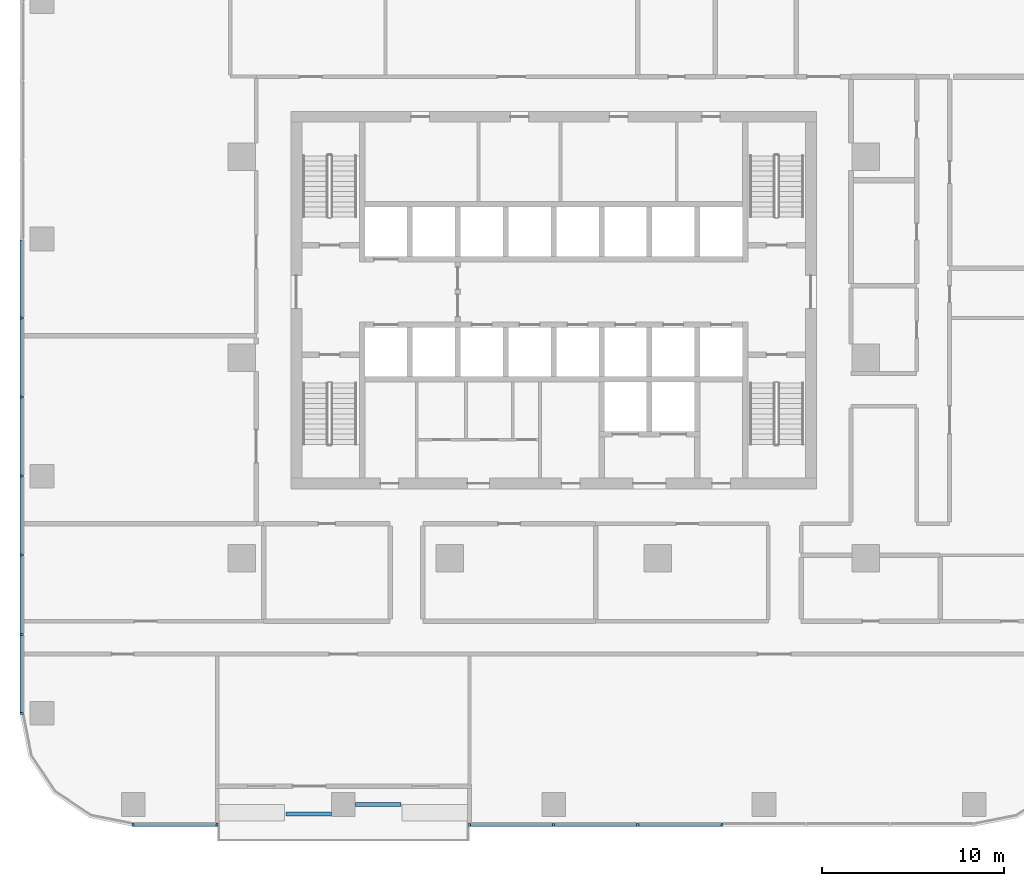
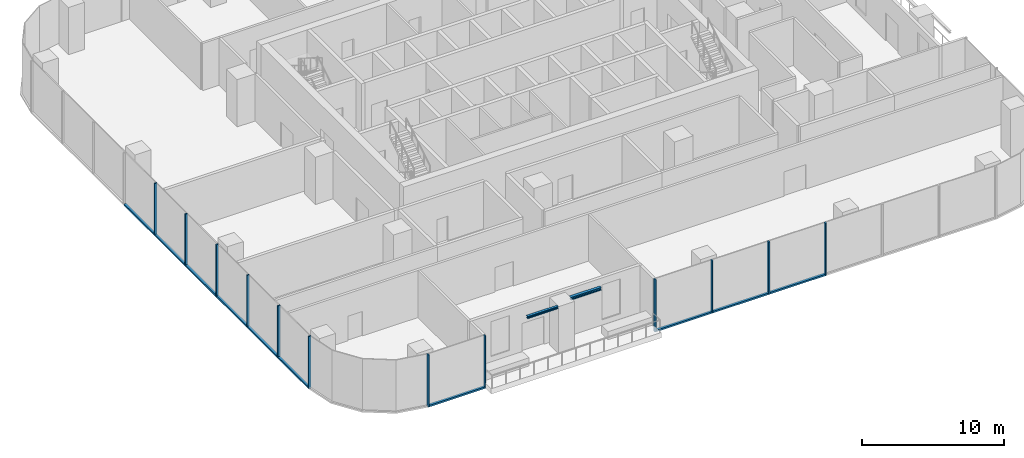
# One storey, part 2 of 14: 22 members, 2 beams, 3 elements without a shape of their own.
"""IFC4 building model written with IfcOpenShell, lengths in metres."""

from ifc_helpers import new_model, si_unit, direction, frame, origin, origin_2d, place, context, subcontext, project, spatial, rectangle, i_section, extrude, material, material_profile, profile_set, type_object, element, aggregate, save


model = new_model("IFC4")

# Units and contexts
model_context = context("Model", 3, precision=1e-05, world=origin(), true_north=direction((0.0, 1.0)))
body_context = subcontext(model_context, "Body", "Model", "MODEL_VIEW")
ifc_project = project(units=[si_unit("LENGTHUNIT", "METRE"), si_unit("AREAUNIT", "SQUARE_METRE"), si_unit("VOLUMEUNIT", "CUBIC_METRE"), si_unit("PLANEANGLEUNIT", "RADIAN"), si_unit("MASSUNIT", "GRAM", prefix="KILO")], contexts=[model_context])

# Site, building, storey
site_placement = place(None, origin())
site = spatial("IfcSite", under=ifc_project, at=site_placement, CompositionType="ELEMENT")
building_placement = place(site_placement, origin())
building = spatial("IfcBuilding", under=site, at=building_placement, Name="Mopane Tessera Tower", CompositionType="ELEMENT")
storey_placement = place(building_placement, frame((0.0, 0.0, 130.60009765625)))
storey = spatial("IfcBuildingStorey", under=building, at=storey_placement, Name="L26", CompositionType="ELEMENT", Elevation=130.60009765625)

# Curtain wall, members
ifc_material_1 = material(Name="Aluminium frame", Category="aluminium")
curtain_wall_type = type_object("IfcCurtainWallType", Name="Lower tower unitised wall", PredefinedType="NOTDEFINED", material=ifc_material_1)
curtain_wall_1_placement = place(storey_placement, origin())
curtain_wall_1 = element("IfcCurtainWall", 1, at=curtain_wall_1_placement, inside=storey, type_object=curtain_wall_type, Name="e:cw:L26:S:0", PredefinedType="NOTDEFINED")
ifc_material_2 = material(Name="Aluminium frame", Category="aluminium")
ifc_material_profile_1 = material_profile(ifc_material_2, rectangle(XDim=0.110107421875, YDim=0.199951171875, at=origin_2d()))
ifc_profile_set_1 = profile_set([ifc_material_profile_1], Name="Aluminium frame")
member_type_1 = type_object("IfcMemberType", Name="Aluminium mullion 110 x 200", PredefinedType="MULLION", material=ifc_profile_set_1)
member_1_placement = place(storey_placement, frame((-23.050048828125, -25.60009765625, -0.4501953125), z_axis=(0.0, 0.0, 1.0), x_axis=(1.0, 0.0, 0.0)))
member_1 = element("IfcMember", 2, at=member_1_placement, type_object=member_type_1, Name="e:cw:L26:S:0:mu0", PredefinedType="MULLION", context=body_context, shape_type="SweptSolid", body=[
    extrude(rectangle(XDim=0.110107421875, YDim=0.199951171875, at=origin_2d()), origin(), (0.0, 0.0, 1.0), 4.5),
])
member_2_placement = place(storey_placement, frame((-18.43994140625, -25.60009765625, -0.4501953125), z_axis=(0.0, 0.0, 1.0), x_axis=(1.0, 0.0, 0.0)))
member_2 = element("IfcMember", 3, at=member_2_placement, type_object=member_type_1, Name="e:cw:L26:S:0:mu1", PredefinedType="MULLION", context=body_context, shape_type="SweptSolid", body=[
    extrude(rectangle(XDim=0.110107421875, YDim=0.199951171875, at=origin_2d()), origin(), (0.0, 0.0, 1.0), 4.5),
])

curtain_wall_2_placement = place(storey_placement, origin())
curtain_wall_2 = element("IfcCurtainWall", 4, at=curtain_wall_2_placement, inside=storey, type_object=curtain_wall_type, Name="e:cw:L26:S:4", PredefinedType="NOTDEFINED")
member_3_placement = place(storey_placement, frame((-4.610107421875, -25.60009765625, -0.4501953125), z_axis=(0.0, 0.0, 1.0), x_axis=(1.0, 0.0, 0.0)))
member_3 = element("IfcMember", 5, at=member_3_placement, type_object=member_type_1, Name="e:cw:L26:S:4:mu4", PredefinedType="MULLION", context=body_context, shape_type="SweptSolid", body=[
    extrude(rectangle(XDim=0.110107421875, YDim=0.199951171875, at=origin_2d()), origin(), (0.0, 0.0, 1.0), 4.5),
])
member_4_placement = place(storey_placement, frame((0.0, -25.60009765625, -0.4501953125), z_axis=(0.0, 0.0, 1.0), x_axis=(1.0, 0.0, 0.0)))
member_4 = element("IfcMember", 6, at=member_4_placement, type_object=member_type_1, Name="e:cw:L26:S:4:mu5", PredefinedType="MULLION", context=body_context, shape_type="SweptSolid", body=[
    extrude(rectangle(XDim=0.110107421875, YDim=0.199951171875, at=origin_2d()), origin(), (0.0, 0.0, 1.0), 4.5),
])
member_5_placement = place(storey_placement, frame((4.610107421875, -25.60009765625, -0.4501953125), z_axis=(0.0, 0.0, 1.0), x_axis=(1.0, 0.0, 0.0)))
member_5 = element("IfcMember", 7, at=member_5_placement, type_object=member_type_1, Name="e:cw:L26:S:4:mu6", PredefinedType="MULLION", context=body_context, shape_type="SweptSolid", body=[
    extrude(rectangle(XDim=0.110107421875, YDim=0.199951171875, at=origin_2d()), origin(), (0.0, 0.0, 1.0), 4.5),
])
member_6_placement = place(storey_placement, frame((9.219970703125, -25.60009765625, -0.4501953125), z_axis=(0.0, 0.0, 1.0), x_axis=(1.0, 0.0, 0.0)))
member_6 = element("IfcMember", 8, at=member_6_placement, type_object=member_type_1, Name="e:cw:L26:S:4:mu7", PredefinedType="MULLION", context=body_context, shape_type="SweptSolid", body=[
    extrude(rectangle(XDim=0.110107421875, YDim=0.199951171875, at=origin_2d()), origin(), (0.0, 0.0, 1.0), 4.5),
])

curtain_wall_3_placement = place(storey_placement, origin())
curtain_wall_3 = element("IfcCurtainWall", 9, at=curtain_wall_3_placement, inside=storey, type_object=curtain_wall_type, Name="e:cw:L26:W:0", PredefinedType="NOTDEFINED")
member_7_placement = place(storey_placement, frame((-29.14990234375, 2.166748046875, -0.4501953125), z_axis=(0.0, 0.0, 1.0), x_axis=(0.0, -1.0, 0.0)))
member_7 = element("IfcMember", 10, at=member_7_placement, type_object=member_type_1, Name="e:cw:L26:W:0:mu4", PredefinedType="MULLION", context=body_context, shape_type="SweptSolid", body=[
    extrude(rectangle(XDim=0.110107421875, YDim=0.199951171875, at=origin_2d()), origin(), (0.0, 0.0, 1.0), 4.5),
])
member_8_placement = place(storey_placement, frame((-29.14990234375, -2.166748046875, -0.4501953125), z_axis=(0.0, 0.0, 1.0), x_axis=(0.0, -1.0, 0.0)))
member_8 = element("IfcMember", 11, at=member_8_placement, type_object=member_type_1, Name="e:cw:L26:W:0:mu5", PredefinedType="MULLION", context=body_context, shape_type="SweptSolid", body=[
    extrude(rectangle(XDim=0.110107421875, YDim=0.199951171875, at=origin_2d()), origin(), (0.0, 0.0, 1.0), 4.5),
])
member_9_placement = place(storey_placement, frame((-29.14990234375, -6.5, -0.4501953125), z_axis=(0.0, 0.0, 1.0), x_axis=(0.0, -1.0, 0.0)))
member_9 = element("IfcMember", 12, at=member_9_placement, type_object=member_type_1, Name="e:cw:L26:W:0:mu6", PredefinedType="MULLION", context=body_context, shape_type="SweptSolid", body=[
    extrude(rectangle(XDim=0.110107421875, YDim=0.199951171875, at=origin_2d()), origin(), (0.0, 0.0, 1.0), 4.5),
])
member_10_placement = place(storey_placement, frame((-29.14990234375, -10.833251953125, -0.4501953125), z_axis=(0.0, 0.0, 1.0), x_axis=(0.0, -1.0, 0.0)))
member_10 = element("IfcMember", 13, at=member_10_placement, type_object=member_type_1, Name="e:cw:L26:W:0:mu7", PredefinedType="MULLION", context=body_context, shape_type="SweptSolid", body=[
    extrude(rectangle(XDim=0.110107421875, YDim=0.199951171875, at=origin_2d()), origin(), (0.0, 0.0, 1.0), 4.5),
])
member_11_placement = place(storey_placement, frame((-29.14990234375, -15.166748046875, -0.4501953125), z_axis=(0.0, 0.0, 1.0), x_axis=(0.0, -1.0, 0.0)))
member_11 = element("IfcMember", 14, at=member_11_placement, type_object=member_type_1, Name="e:cw:L26:W:0:mu8", PredefinedType="MULLION", context=body_context, shape_type="SweptSolid", body=[
    extrude(rectangle(XDim=0.110107421875, YDim=0.199951171875, at=origin_2d()), origin(), (0.0, 0.0, 1.0), 4.5),
])
member_12_placement = place(storey_placement, frame((-29.14990234375, -19.5, -0.4501953125), z_axis=(0.0, 0.0, 1.0), x_axis=(0.0, -1.0, 0.0)))
member_12 = element("IfcMember", 15, at=member_12_placement, type_object=member_type_1, Name="e:cw:L26:W:0:mu9", PredefinedType="MULLION", context=body_context, shape_type="SweptSolid", body=[
    extrude(rectangle(XDim=0.110107421875, YDim=0.199951171875, at=origin_2d()), origin(), (0.0, 0.0, 1.0), 4.5),
])

# Member
ifc_material_3 = material(Name="Aluminium frame", Category="aluminium")
ifc_material_profile_2 = material_profile(ifc_material_3, rectangle(XDim=0.199951171875, YDim=0.139892578125, at=origin_2d()))
ifc_profile_set_2 = profile_set([ifc_material_profile_2], Name="Aluminium frame")
member_type_2 = type_object("IfcMemberType", Name="Aluminium transom 200 x 140", PredefinedType="USERDEFINED", material=ifc_profile_set_2)
member_13_placement = place(storey_placement, frame((-22.9951171875, -25.60009765625, -0.380126953125), z_axis=(1.0, 0.0, 0.0), x_axis=(0.0, 1.0, 0.0)))
member_13 = element("IfcMember", 16, at=member_13_placement, type_object=member_type_2, Name="e:cw:L26:S:0:tr0", ObjectType="TRANSOM", PredefinedType="USERDEFINED", context=body_context, shape_type="SweptSolid", body=[
    extrude(rectangle(XDim=0.199951171875, YDim=0.139892578125, at=origin_2d()), origin(), (0.0, 0.0, 1.0), 4.5),
])

aggregate(curtain_wall_1, [member_1, member_2, member_13])

member_14_placement = place(storey_placement, frame((-4.554931640625, -25.60009765625, -0.380126953125), z_axis=(1.0, 0.0, 0.0), x_axis=(0.0, 1.0, 0.0)))
member_14 = element("IfcMember", 17, at=member_14_placement, type_object=member_type_2, Name="e:cw:L26:S:4:tr4", ObjectType="TRANSOM", PredefinedType="USERDEFINED", context=body_context, shape_type="SweptSolid", body=[
    extrude(rectangle(XDim=0.199951171875, YDim=0.139892578125, at=origin_2d()), origin(), (0.0, 0.0, 1.0), 4.5),
])

member_15_placement = place(storey_placement, frame((0.054931640625, -25.60009765625, -0.380126953125), z_axis=(1.0, 0.0, 0.0), x_axis=(0.0, 1.0, 0.0)))
member_15 = element("IfcMember", 18, at=member_15_placement, type_object=member_type_2, Name="e:cw:L26:S:4:tr5", ObjectType="TRANSOM", PredefinedType="USERDEFINED", context=body_context, shape_type="SweptSolid", body=[
    extrude(rectangle(XDim=0.199951171875, YDim=0.139892578125, at=origin_2d()), origin(), (0.0, 0.0, 1.0), 4.5),
])

member_16_placement = place(storey_placement, frame((4.6650390625, -25.60009765625, -0.380126953125), z_axis=(1.0, 0.0, 0.0), x_axis=(0.0, 1.0, 0.0)))
member_16 = element("IfcMember", 19, at=member_16_placement, type_object=member_type_2, Name="e:cw:L26:S:4:tr6", ObjectType="TRANSOM", PredefinedType="USERDEFINED", context=body_context, shape_type="SweptSolid", body=[
    extrude(rectangle(XDim=0.199951171875, YDim=0.139892578125, at=origin_2d()), origin(), (0.0, 0.0, 1.0), 4.5),
])

aggregate(curtain_wall_2, [member_3, member_4, member_5, member_6, member_14, member_15, member_16])

member_17_placement = place(storey_placement, frame((-29.14990234375, 6.445068359375, -0.380126953125), z_axis=(0.0, -1.0, 0.0), x_axis=(1.0, 0.0, 0.0)))
member_17 = element("IfcMember", 20, at=member_17_placement, type_object=member_type_2, Name="e:cw:L26:W:0:tr3", ObjectType="TRANSOM", PredefinedType="USERDEFINED", context=body_context, shape_type="SweptSolid", body=[
    extrude(rectangle(XDim=0.199951171875, YDim=0.139892578125, at=origin_2d()), origin(), (0.0, 0.0, 1.0), 4.223388671875),
])

member_18_placement = place(storey_placement, frame((-29.14990234375, 2.111572265625, -0.380126953125), z_axis=(0.0, -1.0, 0.0), x_axis=(1.0, 0.0, 0.0)))
member_18 = element("IfcMember", 21, at=member_18_placement, type_object=member_type_2, Name="e:cw:L26:W:0:tr4", ObjectType="TRANSOM", PredefinedType="USERDEFINED", context=body_context, shape_type="SweptSolid", body=[
    extrude(rectangle(XDim=0.199951171875, YDim=0.139892578125, at=origin_2d()), origin(), (0.0, 0.0, 1.0), 4.22314453125),
])

member_19_placement = place(storey_placement, frame((-29.14990234375, -2.2216796875, -0.380126953125), z_axis=(0.0, -1.0, 0.0), x_axis=(1.0, 0.0, 0.0)))
member_19 = element("IfcMember", 22, at=member_19_placement, type_object=member_type_2, Name="e:cw:L26:W:0:tr5", ObjectType="TRANSOM", PredefinedType="USERDEFINED", context=body_context, shape_type="SweptSolid", body=[
    extrude(rectangle(XDim=0.199951171875, YDim=0.139892578125, at=origin_2d()), origin(), (0.0, 0.0, 1.0), 4.223388671875),
])

member_20_placement = place(storey_placement, frame((-29.14990234375, -6.554931640625, -0.380126953125), z_axis=(0.0, -1.0, 0.0), x_axis=(1.0, 0.0, 0.0)))
member_20 = element("IfcMember", 23, at=member_20_placement, type_object=member_type_2, Name="e:cw:L26:W:0:tr6", ObjectType="TRANSOM", PredefinedType="USERDEFINED", context=body_context, shape_type="SweptSolid", body=[
    extrude(rectangle(XDim=0.199951171875, YDim=0.139892578125, at=origin_2d()), origin(), (0.0, 0.0, 1.0), 4.223388671875),
])

member_21_placement = place(storey_placement, frame((-29.14990234375, -10.888427734375, -0.380126953125), z_axis=(0.0, -1.0, 0.0), x_axis=(1.0, 0.0, 0.0)))
member_21 = element("IfcMember", 24, at=member_21_placement, type_object=member_type_2, Name="e:cw:L26:W:0:tr7", ObjectType="TRANSOM", PredefinedType="USERDEFINED", context=body_context, shape_type="SweptSolid", body=[
    extrude(rectangle(XDim=0.199951171875, YDim=0.139892578125, at=origin_2d()), origin(), (0.0, 0.0, 1.0), 4.22314453125),
])

member_22_placement = place(storey_placement, frame((-29.14990234375, -15.2216796875, -0.380126953125), z_axis=(0.0, -1.0, 0.0), x_axis=(1.0, 0.0, 0.0)))
member_22 = element("IfcMember", 25, at=member_22_placement, type_object=member_type_2, Name="e:cw:L26:W:0:tr8", ObjectType="TRANSOM", PredefinedType="USERDEFINED", context=body_context, shape_type="SweptSolid", body=[
    extrude(rectangle(XDim=0.199951171875, YDim=0.139892578125, at=origin_2d()), origin(), (0.0, 0.0, 1.0), 4.223388671875),
])

aggregate(curtain_wall_3, [member_7, member_8, member_9, member_10, member_11, member_12, member_17, member_18, member_19, member_20, member_21, member_22])

# Beams
ifc_material_4 = material(Name="Structural steel S460", Category="steel")
ifc_material_profile_3 = material_profile(ifc_material_4, i_section(OverallWidth=0.239990234375, OverallDepth=0.239990234375, WebThickness=0.010009765625, FlangeThickness=0.01708984375, FilletRadius=0.02099609375, at=origin_2d()))
ifc_profile_set_3 = profile_set([ifc_material_profile_3], Name="Structural steel S460")
beam_type_1 = type_object("IfcBeamType", Name="Terrace spandrel beam HE 240 B", PredefinedType="SPANDREL", material=ifc_profile_set_3)
beam_1_placement = place(storey_placement, frame((-10.871826171875, -24.5, 3.929931640625), z_axis=(1.0, 0.0, 0.0), x_axis=(0.0, 1.0, 0.0)))
element("IfcBeam", 26, at=beam_1_placement, inside=storey, type_object=beam_type_1, Name="Terrace spandrel beam N2 L27", PredefinedType="SPANDREL", context=body_context, shape_type="SweptSolid", body=[
    extrude(i_section(OverallWidth=0.239990234375, OverallDepth=0.239990234375, WebThickness=0.010009765625, FlangeThickness=0.01708984375, FilletRadius=0.02099609375, at=origin_2d()), origin(), (0.0, 0.0, 1.0), 2.5),
])
ifc_material_5 = material(Name="Structural steel S460", Category="steel")
ifc_material_profile_4 = material_profile(ifc_material_5, i_section(OverallWidth=0.199951171875, OverallDepth=0.199951171875, WebThickness=0.009033203125, FlangeThickness=0.014892578125, FilletRadius=0.01806640625, at=origin_2d()))
ifc_profile_set_4 = profile_set([ifc_material_profile_4], Name="Structural steel S460")
beam_type_2 = type_object("IfcBeamType", Name="Terrace trimmer beam HE 200 B", PredefinedType="BEAM", material=ifc_profile_set_4)
beam_2_placement = place(storey_placement, frame((-12.177978515625, -25.02001953125, 3.949951171875), z_axis=(-1.0, 0.0, 0.0), x_axis=(0.0, -1.0, 0.0)))
element("IfcBeam", 27, at=beam_2_placement, inside=storey, type_object=beam_type_2, Name="Terrace trimmer beam N2 L27", PredefinedType="BEAM", context=body_context, shape_type="SweptSolid", body=[
    extrude(i_section(OverallWidth=0.199951171875, OverallDepth=0.199951171875, WebThickness=0.009033203125, FlangeThickness=0.014892578125, FilletRadius=0.01806640625, at=origin_2d()), origin(), (0.0, 0.0, 1.0), 2.5),
])

save(model, "model.ifc")
